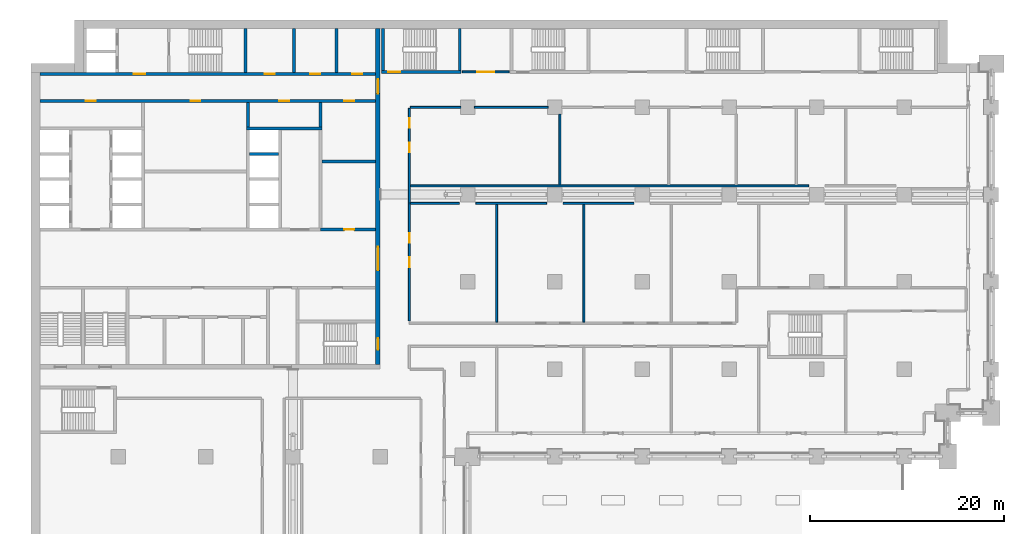
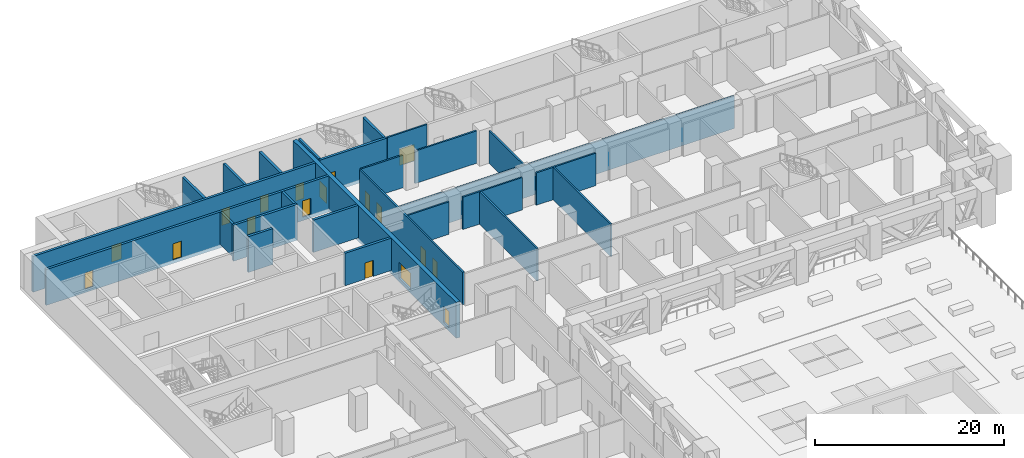
# One storey, part 16 of 31: 26 walls, 18 doors, 18 openings.
"""IFC4 building model written with IfcOpenShell, lengths in metres."""

from ifc_helpers import new_model, si_unit, direction, frame, frame_2d, origin, place, context, subcontext, project, spatial, rectangle, extrude, material, layer, layer_set, type_object, element, fill, save


model = new_model("IFC4")

# Units and contexts
model_context = context("Model", 3, precision=1e-05, world=origin(), true_north=direction((0.0, 1.0)))
body_context = subcontext(model_context, "Body", "Model", "MODEL_VIEW")
ifc_project = project(units=[si_unit("LENGTHUNIT", "METRE"), si_unit("AREAUNIT", "SQUARE_METRE"), si_unit("VOLUMEUNIT", "CUBIC_METRE"), si_unit("PLANEANGLEUNIT", "RADIAN"), si_unit("MASSUNIT", "GRAM", prefix="KILO")], contexts=[model_context])

# Site, building, storey
site_placement = place(None, origin())
site = spatial("IfcSite", under=ifc_project, at=site_placement, CompositionType="ELEMENT")
building_placement = place(site_placement, origin())
building = spatial("IfcBuilding", under=site, at=building_placement, Name="Hunhe Ridgeline Campus", CompositionType="ELEMENT")
storey_placement = place(building_placement, frame((0.0, 0.0, 31.199951171875)))
storey = spatial("IfcBuildingStorey", under=building, at=storey_placement, Name="L06", CompositionType="ELEMENT", Elevation=31.199951171875)

# Walls
ifc_material_1 = material(Name="Masonry concrete blockwork", Category="masonry")
ifc_layer_1 = layer(ifc_material_1, 0.300048828125)
ifc_layer_set_1 = layer_set([ifc_layer_1], Name="Core room partition 300 concrete block")
wall_type_1 = type_object("IfcWallType", Name="Core room partition 300 concrete block", PredefinedType="PARTITIONING", material=ifc_layer_set_1)
wall_1_placement = place(storey_placement, frame((30.0, 84.39990234375, 0.0), z_axis=(0.0, 0.0, 1.0), x_axis=(1.0, 0.0, 0.0)))
element("IfcWall", 1, at=wall_1_placement, inside=storey, type_object=wall_type_1, Name="L06 core partition 24", PredefinedType="PARTITIONING", context=body_context, shape_type="SweptSolid", body=[
    extrude(rectangle(XDim=5.5, YDim=0.300048828125, at=frame_2d((2.75, 0.0))), origin(), (0.0, 0.0, 1.0), 4.199951171875),
])
wall_2_placement = place(storey_placement, frame((22.35009765625, 87.949951171875, 0.0), z_axis=(0.0, 0.0, 1.0), x_axis=(0.0, 1.0, 0.0)))
element("IfcWall", 2, at=wall_2_placement, inside=storey, type_object=wall_type_1, Name="L06 core partition 54", PredefinedType="PARTITIONING", context=body_context, shape_type="SweptSolid", body=[
    extrude(rectangle(XDim=2.550048828125, YDim=0.300048828125, at=frame_2d((1.27490234375, 0.0))), origin(), (0.0, 0.0, 1.0), 4.199951171875),
])
wall_3_placement = place(storey_placement, frame((27.10009765625, 93.60009765625, 0.0), z_axis=(0.0, 0.0, 1.0), x_axis=(0.0, 1.0, 0.0)))
element("IfcWall", 3, at=wall_3_placement, inside=storey, type_object=wall_type_1, Name="L06 core partition 58", PredefinedType="PARTITIONING", context=body_context, shape_type="SweptSolid", body=[
    extrude(rectangle(XDim=4.5, YDim=0.300048828125, at=frame_2d((2.25, 0.0))), origin(), (0.0, 0.0, 1.0), 4.199951171875),
])
wall_4_placement = place(storey_placement, frame((29.85009765625, 87.949951171875, 0.0), z_axis=(0.0, 0.0, 1.0), x_axis=(0.0, 1.0, 0.0)))
element("IfcWall", 4, at=wall_4_placement, inside=storey, type_object=wall_type_1, Name="L06 core partition 62", PredefinedType="PARTITIONING", context=body_context, shape_type="SweptSolid", body=[
    extrude(rectangle(XDim=2.550048828125, YDim=0.300048828125, at=frame_2d((1.27490234375, 0.0))), origin(), (0.0, 0.0, 1.0), 4.199951171875),
])
wall_5_placement = place(storey_placement, frame((31.5, 93.60009765625, 0.0), z_axis=(0.0, 0.0, 1.0), x_axis=(0.0, 1.0, 0.0)))
element("IfcWall", 5, at=wall_5_placement, inside=storey, type_object=wall_type_1, Name="L06 core partition 63", PredefinedType="PARTITIONING", context=body_context, shape_type="SweptSolid", body=[
    extrude(rectangle(XDim=4.5, YDim=0.300048828125, at=frame_2d((2.25, 0.0))), origin(), (0.0, 0.0, 1.0), 4.199951171875),
])

# Wall, openings, doors
ifc_material_2 = material(Name="Concrete C80", Category="concrete")
ifc_layer_2 = layer(ifc_material_2, 0.5)
ifc_layer_set_2 = layer_set([ifc_layer_2], Name="Core wall 500 reinforced concrete C80")
wall_type_2 = type_object("IfcWallType", Name="Core wall 500 reinforced concrete C80", PredefinedType="SOLIDWALL", material=ifc_layer_set_2)
wall_6_placement = place(storey_placement, frame((35.75, 63.5, -0.449951171875), z_axis=(0.0, 0.0, 1.0), x_axis=(0.0, 1.0, 0.0)))
wall_6 = element("IfcWall", 6, at=wall_6_placement, inside=storey, type_object=wall_type_2, Name="L06 core wall 64", PredefinedType="SOLIDWALL", context=body_context, shape_type="SweptSolid", body=[
    extrude(rectangle(XDim=34.60009765625, YDim=0.5, at=frame_2d((17.300048828125, 0.0))), origin(), (0.0, 0.0, 1.0), 4.64990234375),
])
opening_1_placement = place(wall_6_placement, frame((9.699951171875, 0.0, 0.449951171875)))
opening_1 = element("IfcOpeningElement", 7, at=opening_1_placement, cuts=wall_6, Name="Opening CD4", PredefinedType="OPENING", context=body_context, shape_type="SweptSolid", body=[
    extrude(rectangle(XDim=2.39990234375, YDim=2.10009765625, at=frame_2d((1.199951171875, 1.050048828125))), frame((0.0, 0.25, 0.0), z_axis=(0.0, -1.0, 0.0), x_axis=(1.0, 0.0, 0.0)), (0.0, 0.0, 1.0), 0.5),
])
opening_2_placement = place(wall_6_placement, frame((27.89990234375, 0.0, 0.449951171875)))
opening_2 = element("IfcOpeningElement", 8, at=opening_2_placement, cuts=wall_6, Name="Opening CD5", PredefinedType="OPENING", context=body_context, shape_type="SweptSolid", body=[
    extrude(rectangle(XDim=1.5, YDim=2.10009765625, at=frame_2d((0.75, 1.050048828125))), frame((0.0, 0.25, 0.0), z_axis=(0.0, -1.0, 0.0), x_axis=(1.0, 0.0, 0.0)), (0.0, 0.0, 1.0), 0.5),
])
opening_3_placement = place(wall_6_placement, frame((1.5, 0.0, 0.449951171875)))
opening_3 = element("IfcOpeningElement", 9, at=opening_3_placement, cuts=wall_6, Name="Opening CD15", PredefinedType="OPENING", context=body_context, shape_type="SweptSolid", body=[
    extrude(rectangle(XDim=1.199951171875, YDim=2.10009765625, at=frame_2d((0.60009765625, 1.050048828125))), frame((0.0, 0.25, 0.0), z_axis=(0.0, -1.0, 0.0), x_axis=(1.0, 0.0, 0.0)), (0.0, 0.0, 1.0), 0.5),
])
ifc_material_3 = material(Name="Anodised aluminium and glass", Category="aluminium")
door_type_1 = type_object("IfcDoorType", Name="Glazed double door 2400x2100", OperationType="DOUBLE_DOOR_SINGLE_SWING", PredefinedType="DOOR", material=ifc_material_3)
door_1_placement = place(opening_1_placement, frame((2.39990234375, 0.0, 0.0), z_axis=(0.0, 0.0, 1.0), x_axis=(-1.0, 0.0, 0.0)))
door_1 = element("IfcDoor", 10, at=door_1_placement, inside=storey, type_object=door_type_1, Name="L06 door HALL-FLOOR", OperationType="DOUBLE_DOOR_SINGLE_SWING", OverallHeight=2.10009765625, OverallWidth=2.39990234375, PredefinedType="DOOR", context=body_context, shape_type="SweptSolid", body=[
    extrude(rectangle(XDim=2.39990234375, YDim=2.10009765625, at=frame_2d((1.199951171875, 1.050048828125))), frame((0.0, 0.02490234375, 0.0), z_axis=(0.0, -1.0, 0.0), x_axis=(1.0, 0.0, 0.0)), (0.0, 0.0, 1.0), 0.050048828125),
])
fill(opening_1, door_1)
ifc_material_4 = material(Name="Hollow metal fire door leaf")
door_type_2 = type_object("IfcDoorType", Name="Stair door 1200x2100 FD60", OperationType="SINGLE_SWING_LEFT", PredefinedType="DOOR", material=ifc_material_4)
door_2_placement = place(opening_3_placement, frame((1.199951171875, 0.0, 0.0), z_axis=(0.0, 0.0, 1.0), x_axis=(-1.0, 0.0, 0.0)))
door_2 = element("IfcDoor", 11, at=door_2_placement, inside=storey, type_object=door_type_2, Name="L06 door S2-FLOOR", OperationType="SINGLE_SWING_RIGHT", OverallHeight=2.10009765625, OverallWidth=1.199951171875, PredefinedType="DOOR", context=body_context, shape_type="SweptSolid", body=[
    extrude(rectangle(XDim=1.199951171875, YDim=2.10009765625, at=frame_2d((0.60009765625, 1.050048828125))), frame((0.0, 0.02490234375, 0.0), z_axis=(0.0, -1.0, 0.0), x_axis=(1.0, 0.0, 0.0)), (0.0, 0.0, 1.0), 0.050048828125),
])
fill(opening_3, door_2)
ifc_material_5 = material(Name="Solid core timber door leaf", Category="wood")
door_type_3 = type_object("IfcDoorType", Name="Timber door 1500x2100", OperationType="SINGLE_SWING_LEFT", PredefinedType="DOOR", material=ifc_material_5)
door_3_placement = place(opening_2_placement, frame((1.5, 0.0, 0.0), z_axis=(0.0, 0.0, 1.0), x_axis=(-1.0, 0.0, 0.0)))
door_3 = element("IfcDoor", 12, at=door_3_placement, inside=storey, type_object=door_type_3, Name="L06 door C1-FLOOR", OperationType="SINGLE_SWING_RIGHT", OverallHeight=2.10009765625, OverallWidth=1.5, PredefinedType="DOOR", context=body_context, shape_type="SweptSolid", body=[
    extrude(rectangle(XDim=1.5, YDim=2.10009765625, at=frame_2d((0.75, 1.050048828125))), frame((0.0, 0.02490234375, 0.0), z_axis=(0.0, -1.0, 0.0), x_axis=(1.0, 0.0, 0.0)), (0.0, 0.0, 1.0), 0.050048828125),
])
fill(opening_2, door_3)

# Walls
ifc_material_6 = material(Name="Gypsum board partition")
ifc_layer_3 = layer(ifc_material_6, 0.199951171875)
ifc_layer_set_3 = layer_set([ifc_layer_3], Name="Corridor partition 200 gypsum board on steel studs")
wall_type_3 = type_object("IfcWallType", Name="Corridor partition 200 gypsum board on steel studs", PredefinedType="PARTITIONING", material=ifc_layer_set_3)
wall_7_placement = place(storey_placement, frame((39.10009765625, 80.10009765625, 0.0), z_axis=(0.0, 0.0, 1.0), x_axis=(1.0, 0.0, 0.0)))
element("IfcWall", 13, at=wall_7_placement, inside=storey, type_object=wall_type_3, Name="F-L06-wall-034", PredefinedType="PARTITIONING", context=body_context, shape_type="SweptSolid", body=[
    extrude(rectangle(XDim=5.0498046875, YDim=0.199951171875, at=frame_2d((2.52490234375, 0.0))), origin(), (0.0, 0.0, 1.0), 4.199951171875),
])
for number, where, z_axis, x_axis, name in (
    (14, (45.85009765625, 80.10009765625, 0.0), (0.0, 0.0, 1.0), (1.0, 0.0, 0.0), "F-L06-wall-035"),
    (15, (54.85009765625, 80.10009765625, 0.0), (0.0, 0.0, 1.0), (1.0, 0.0, 0.0), "F-L06-wall-036"),
):
    element("IfcWall", number, at=place(storey_placement, frame(where, z_axis=z_axis, x_axis=x_axis)), inside=storey, type_object=wall_type_3, Name=name, PredefinedType="PARTITIONING", context=body_context, shape_type="SweptSolid", body=[
        extrude(rectangle(XDim=7.2998046875, YDim=0.199951171875, at=frame_2d((3.64990234375, 0.0))), origin(), (0.0, 0.0, 1.0), 4.199951171875),
    ])
wall_8_placement = place(storey_placement, frame((39.10009765625, 81.89990234375, 0.0), z_axis=(0.0, 0.0, 1.0), x_axis=(1.0, 0.0, 0.0)))
element("IfcWall", 16, at=wall_8_placement, inside=storey, type_object=wall_type_3, Name="F-L06-wall-042", PredefinedType="PARTITIONING", context=body_context, shape_type="SweptSolid", body=[
    extrude(rectangle(XDim=41.0498046875, YDim=0.199951171875, at=frame_2d((20.52490234375, 0.0))), origin(), (0.0, 0.0, 1.0), 4.199951171875),
])
wall_9_placement = place(storey_placement, frame((44.300048828125, 90.0, 0.0), z_axis=(0.0, 0.0, 1.0), x_axis=(-1.0, 0.0, 0.0)))
element("IfcWall", 17, at=wall_9_placement, inside=storey, type_object=wall_type_3, Name="F-L06-wall-045", PredefinedType="PARTITIONING", context=body_context, shape_type="SweptSolid", body=[
    extrude(rectangle(XDim=5.199951171875, YDim=0.199951171875, at=frame_2d((2.60009765625, 0.0))), origin(), (0.0, 0.0, 1.0), 4.199951171875),
])
wall_10_placement = place(storey_placement, frame((53.300048828125, 90.0, 0.0), z_axis=(0.0, 0.0, 1.0), x_axis=(-1.0, 0.0, 0.0)))
element("IfcWall", 18, at=wall_10_placement, inside=storey, type_object=wall_type_3, Name="F-L06-wall-046", PredefinedType="PARTITIONING", context=body_context, shape_type="SweptSolid", body=[
    extrude(rectangle(XDim=7.60009765625, YDim=0.199951171875, at=frame_2d((3.800048828125, 0.0))), origin(), (0.0, 0.0, 1.0), 4.199951171875),
])

# Wall, opening, door
wall_11_placement = place(storey_placement, frame((44.4541015625, 93.64990234375, 0.0), z_axis=(0.0, 0.0, 1.0), x_axis=(1.0, 0.0, 0.0)))
wall_11 = element("IfcWall", 19, at=wall_11_placement, inside=storey, type_object=wall_type_3, Name="F-L06-wall-051", PredefinedType="PARTITIONING", context=body_context, shape_type="SweptSolid", body=[
    extrude(rectangle(XDim=4.841796875, YDim=0.199951171875, at=frame_2d((2.4208984375, 0.0))), origin(), (0.0, 0.0, 1.0), 4.199951171875),
])
opening_4_placement = place(wall_11_placement, frame((1.52099609375, 0.0, 0.0)))
opening_4 = element("IfcOpeningElement", 20, at=opening_4_placement, cuts=wall_11, Name="Opening RD2-045", PredefinedType="OPENING", context=body_context, shape_type="SweptSolid", body=[
    extrude(rectangle(XDim=1.800048828125, YDim=2.10009765625, at=frame_2d((0.89990234375, 1.050048828125))), frame((0.0, 0.10009765625, 0.0), z_axis=(0.0, -1.0, 0.0), x_axis=(1.0, 0.0, 0.0)), (0.0, 0.0, 1.0), 0.199951171875),
])
ifc_material_7 = material(Name="Timber door leaf", Category="wood")
door_type_4 = type_object("IfcDoorType", Name="Double fire door 1800x2100 timber FD60", OperationType="DOUBLE_DOOR_SINGLE_SWING", PredefinedType="DOOR", material=ifc_material_7)
door_4_placement = place(opening_4_placement, origin())
door_4 = element("IfcDoor", 21, at=door_4_placement, inside=storey, type_object=door_type_4, Name="F-L06-door-045", OperationType="DOUBLE_DOOR_SINGLE_SWING", OverallHeight=2.10009765625, OverallWidth=1.800048828125, PredefinedType="DOOR", context=body_context, shape_type="SweptSolid", body=[
    extrude(rectangle(XDim=1.800048828125, YDim=2.10009765625, at=frame_2d((0.89990234375, 1.050048828125))), frame((0.0, 0.02490234375, 0.0), z_axis=(0.0, -1.0, 0.0), x_axis=(1.0, 0.0, 0.0)), (0.0, 0.0, 1.0), 0.050048828125),
])
fill(opening_4, door_4)

# Wall, openings, doors
wall_12_placement = place(storey_placement, frame((39.0, 89.89990234375, 0.0), z_axis=(0.0, 0.0, 1.0), x_axis=(0.0, -1.0, 0.0)))
wall_12 = element("IfcWall", 22, at=wall_12_placement, inside=storey, type_object=wall_type_3, Name="F-L06-wall-070", PredefinedType="PARTITIONING", context=body_context, shape_type="SweptSolid", body=[
    extrude(rectangle(XDim=21.9169921875, YDim=0.199951171875, at=frame_2d((10.95849609375, 0.0))), origin(), (0.0, 0.0, 1.0), 4.199951171875),
])
opening_5_placement = place(wall_12_placement, frame((15.37109375, 0.0, 0.0)))
opening_5 = element("IfcOpeningElement", 23, at=opening_5_placement, cuts=wall_12, Name="Opening RD1-038", PredefinedType="OPENING", context=body_context, shape_type="SweptSolid", body=[
    extrude(rectangle(XDim=1.0, YDim=2.10009765625, at=frame_2d((0.5, 1.050048828125))), frame((0.0, 0.10009765625, 0.0), z_axis=(0.0, -1.0, 0.0), x_axis=(1.0, 0.0, 0.0)), (0.0, 0.0, 1.0), 0.199951171875),
])
opening_6_placement = place(wall_12_placement, frame((12.87109375, 0.0, 0.0)))
opening_6 = element("IfcOpeningElement", 24, at=opening_6_placement, cuts=wall_12, Name="Opening RD1-039", PredefinedType="OPENING", context=body_context, shape_type="SweptSolid", body=[
    extrude(rectangle(XDim=1.0, YDim=2.10009765625, at=frame_2d((0.5, 1.050048828125))), frame((0.0, 0.10009765625, 0.0), z_axis=(0.0, -1.0, 0.0), x_axis=(1.0, 0.0, 0.0)), (0.0, 0.0, 1.0), 0.199951171875),
])
opening_7_placement = place(wall_12_placement, frame((3.53076171875, 0.0, 0.0)))
opening_7 = element("IfcOpeningElement", 25, at=opening_7_placement, cuts=wall_12, Name="Opening RD1-040", PredefinedType="OPENING", context=body_context, shape_type="SweptSolid", body=[
    extrude(rectangle(XDim=1.0, YDim=2.10009765625, at=frame_2d((0.5, 1.050048828125))), frame((0.0, 0.10009765625, 0.0), z_axis=(0.0, -1.0, 0.0), x_axis=(1.0, 0.0, 0.0)), (0.0, 0.0, 1.0), 0.199951171875),
])
opening_8_placement = place(wall_12_placement, frame((1.03076171875, 0.0, 0.0)))
opening_8 = element("IfcOpeningElement", 26, at=opening_8_placement, cuts=wall_12, Name="Opening RD1-041", PredefinedType="OPENING", context=body_context, shape_type="SweptSolid", body=[
    extrude(rectangle(XDim=1.0, YDim=2.10009765625, at=frame_2d((0.5, 1.050048828125))), frame((0.0, 0.10009765625, 0.0), z_axis=(0.0, -1.0, 0.0), x_axis=(1.0, 0.0, 0.0)), (0.0, 0.0, 1.0), 0.199951171875),
])
door_type_5 = type_object("IfcDoorType", Name="Single fire door 1000x2100 timber FD60", OperationType="NOTDEFINED", PredefinedType="DOOR", material=ifc_material_7)
door_5_placement = place(opening_5_placement, frame((1.0, 0.0, 0.0), z_axis=(0.0, 0.0, 1.0), x_axis=(-1.0, 0.0, 0.0)))
door_5 = element("IfcDoor", 27, at=door_5_placement, inside=storey, type_object=door_type_5, Name="F-L06-door-038", OperationType="SINGLE_SWING_RIGHT", OverallHeight=2.10009765625, OverallWidth=1.0, PredefinedType="DOOR", context=body_context, shape_type="SweptSolid", body=[
    extrude(rectangle(XDim=1.0, YDim=2.10009765625, at=frame_2d((0.5, 1.050048828125))), frame((0.0, 0.02490234375, 0.0), z_axis=(0.0, -1.0, 0.0), x_axis=(1.0, 0.0, 0.0)), (0.0, 0.0, 1.0), 0.050048828125),
])
fill(opening_5, door_5)
door_6_placement = place(opening_6_placement, frame((1.0, 0.0, 0.0), z_axis=(0.0, 0.0, 1.0), x_axis=(-1.0, 0.0, 0.0)))
door_6 = element("IfcDoor", 28, at=door_6_placement, inside=storey, type_object=door_type_5, Name="F-L06-door-039", OperationType="SINGLE_SWING_RIGHT", OverallHeight=2.10009765625, OverallWidth=1.0, PredefinedType="DOOR", context=body_context, shape_type="SweptSolid", body=[
    extrude(rectangle(XDim=1.0, YDim=2.10009765625, at=frame_2d((0.5, 1.050048828125))), frame((0.0, 0.02490234375, 0.0), z_axis=(0.0, -1.0, 0.0), x_axis=(1.0, 0.0, 0.0)), (0.0, 0.0, 1.0), 0.050048828125),
])
fill(opening_6, door_6)
door_7_placement = place(opening_7_placement, frame((1.0, 0.0, 0.0), z_axis=(0.0, 0.0, 1.0), x_axis=(-1.0, 0.0, 0.0)))
door_7 = element("IfcDoor", 29, at=door_7_placement, inside=storey, type_object=door_type_5, Name="F-L06-door-040", OperationType="SINGLE_SWING_LEFT", OverallHeight=2.10009765625, OverallWidth=1.0, PredefinedType="DOOR", context=body_context, shape_type="SweptSolid", body=[
    extrude(rectangle(XDim=1.0, YDim=2.10009765625, at=frame_2d((0.5, 1.050048828125))), frame((0.0, 0.02490234375, 0.0), z_axis=(0.0, -1.0, 0.0), x_axis=(1.0, 0.0, 0.0)), (0.0, 0.0, 1.0), 0.050048828125),
])
fill(opening_7, door_7)
door_8_placement = place(opening_8_placement, frame((1.0, 0.0, 0.0), z_axis=(0.0, 0.0, 1.0), x_axis=(-1.0, 0.0, 0.0)))
door_8 = element("IfcDoor", 30, at=door_8_placement, inside=storey, type_object=door_type_5, Name="F-L06-door-041", OperationType="SINGLE_SWING_RIGHT", OverallHeight=2.10009765625, OverallWidth=1.0, PredefinedType="DOOR", context=body_context, shape_type="SweptSolid", body=[
    extrude(rectangle(XDim=1.0, YDim=2.10009765625, at=frame_2d((0.5, 1.050048828125))), frame((0.0, 0.02490234375, 0.0), z_axis=(0.0, -1.0, 0.0), x_axis=(1.0, 0.0, 0.0)), (0.0, 0.0, 1.0), 0.050048828125),
])
fill(opening_8, door_8)

# Walls
wall_13_placement = place(storey_placement, frame((48.0, 80.0, 0.0), z_axis=(0.0, 0.0, 1.0), x_axis=(0.0, -1.0, 0.0)))
element("IfcWall", 31, at=wall_13_placement, inside=storey, type_object=wall_type_3, Name="F-L06-wall-074", PredefinedType="PARTITIONING", context=body_context, shape_type="SweptSolid", body=[
    extrude(rectangle(XDim=12.14990234375, YDim=0.199951171875, at=frame_2d((6.074951171875, 0.0))), origin(), (0.0, 0.0, 1.0), 4.199951171875),
])
wall_14_placement = place(storey_placement, frame((54.508056640625, 89.300048828125, 0.0), z_axis=(0.0, 0.0, 1.0), x_axis=(0.0, -1.0, 0.0)))
element("IfcWall", 32, at=wall_14_placement, inside=storey, type_object=wall_type_3, Name="F-L06-wall-075", PredefinedType="PARTITIONING", context=body_context, shape_type="SweptSolid", body=[
    extrude(rectangle(XDim=7.300048828125, YDim=0.199951171875, at=frame_2d((3.64990234375, 0.0))), origin(), (0.0, 0.0, 1.0), 4.199951171875),
])
wall_15_placement = place(storey_placement, frame((57.0, 80.0, 0.0), z_axis=(0.0, 0.0, 1.0), x_axis=(0.0, -1.0, 0.0)))
element("IfcWall", 33, at=wall_15_placement, inside=storey, type_object=wall_type_3, Name="F-L06-wall-077", PredefinedType="PARTITIONING", context=body_context, shape_type="SweptSolid", body=[
    extrude(rectangle(XDim=12.14990234375, YDim=0.199951171875, at=frame_2d((6.074951171875, 0.0))), origin(), (0.0, 0.0, 1.0), 4.199951171875),
])

# Wall, opening, door
ifc_layer_4 = layer(ifc_material_2, 0.300048828125)
ifc_layer_set_4 = layer_set([ifc_layer_4], Name="Lobby wall 300 reinforced concrete C80")
wall_type_4 = type_object("IfcWallType", Name="Lobby wall 300 reinforced concrete C80", PredefinedType="SOLIDWALL", material=ifc_layer_set_4)
wall_16_placement = place(storey_placement, frame((29.85009765625, 77.39990234375, 0.0), z_axis=(0.0, 0.0, 1.0), x_axis=(1.0, 0.0, 0.0)))
wall_16 = element("IfcWall", 34, at=wall_16_placement, inside=storey, type_object=wall_type_4, Name="L06 core wall 16", PredefinedType="SOLIDWALL", context=body_context, shape_type="SweptSolid", body=[
    extrude(rectangle(XDim=5.64990234375, YDim=0.300048828125, at=frame_2d((2.824951171875, 0.0))), origin(), (0.0, 0.0, 1.0), 4.199951171875),
])
opening_9_placement = place(wall_16_placement, frame((2.449951171875, 0.0, 0.0)))
opening_9 = element("IfcOpeningElement", 35, at=opening_9_placement, cuts=wall_16, Name="Opening CD32", PredefinedType="OPENING", context=body_context, shape_type="SweptSolid", body=[
    extrude(rectangle(XDim=1.0, YDim=2.10009765625, at=frame_2d((0.5, 1.050048828125))), frame((0.0, 0.14990234375, 0.0), z_axis=(0.0, -1.0, 0.0), x_axis=(1.0, 0.0, 0.0)), (0.0, 0.0, 1.0), 0.300048828125),
])
door_type_6 = type_object("IfcDoorType", Name="Timber door 1000x2100", OperationType="SINGLE_SWING_LEFT", PredefinedType="DOOR", material=ifc_material_5)
door_9_placement = place(opening_9_placement, origin())
door_9 = element("IfcDoor", 36, at=door_9_placement, inside=storey, type_object=door_type_6, Name="L06 door ES0", OperationType="SINGLE_SWING_LEFT", OverallHeight=2.10009765625, OverallWidth=1.0, PredefinedType="DOOR", context=body_context, shape_type="SweptSolid", body=[
    extrude(rectangle(XDim=1.0, YDim=2.10009765625, at=frame_2d((0.5, 1.050048828125))), frame((0.0, 0.02490234375, 0.0), z_axis=(0.0, -1.0, 0.0), x_axis=(1.0, 0.0, 0.0)), (0.0, 0.0, 1.0), 0.050048828125),
])
fill(opening_9, door_9)

# Wall, openings, doors
wall_17_placement = place(storey_placement, frame((0.89990234375, 90.64990234375, -0.449951171875), z_axis=(0.0, 0.0, 1.0), x_axis=(1.0, 0.0, 0.0)))
wall_17 = element("IfcWall", 37, at=wall_17_placement, inside=storey, type_object=wall_type_4, Name="L06 core wall 30", PredefinedType="SOLIDWALL", context=body_context, shape_type="SweptSolid", body=[
    extrude(rectangle(XDim=34.60009765625, YDim=0.300048828125, at=frame_2d((17.300048828125, 0.0))), origin(), (0.0, 0.0, 1.0), 4.64990234375),
])
opening_10_placement = place(wall_17_placement, frame((4.75, 0.0, 0.449951171875)))
opening_10 = element("IfcOpeningElement", 38, at=opening_10_placement, cuts=wall_17, Name="Opening CD26", PredefinedType="OPENING", context=body_context, shape_type="SweptSolid", body=[
    extrude(rectangle(XDim=1.0, YDim=2.10009765625, at=frame_2d((0.5, 1.050048828125))), frame((0.0, 0.14990234375, 0.0), z_axis=(0.0, -1.0, 0.0), x_axis=(1.0, 0.0, 0.0)), (0.0, 0.0, 1.0), 0.300048828125),
])
opening_11_placement = place(wall_17_placement, frame((24.699951171875, 0.0, 0.449951171875)))
opening_11 = element("IfcOpeningElement", 39, at=opening_11_placement, cuts=wall_17, Name="Opening CD27", PredefinedType="OPENING", context=body_context, shape_type="SweptSolid", body=[
    extrude(rectangle(XDim=1.0, YDim=2.10009765625, at=frame_2d((0.5, 1.050048828125))), frame((0.0, 0.14990234375, 0.0), z_axis=(0.0, -1.0, 0.0), x_axis=(1.0, 0.0, 0.0)), (0.0, 0.0, 1.0), 0.300048828125),
])
opening_12_placement = place(wall_17_placement, frame((15.550048828125, 0.0, 0.449951171875)))
opening_12 = element("IfcOpeningElement", 40, at=opening_12_placement, cuts=wall_17, Name="Opening CD29", PredefinedType="OPENING", context=body_context, shape_type="SweptSolid", body=[
    extrude(rectangle(XDim=1.0, YDim=2.10009765625, at=frame_2d((0.5, 1.050048828125))), frame((0.0, 0.14990234375, 0.0), z_axis=(0.0, -1.0, 0.0), x_axis=(1.0, 0.0, 0.0)), (0.0, 0.0, 1.0), 0.300048828125),
])
opening_13_placement = place(wall_17_placement, frame((31.39990234375, 0.0, 0.449951171875)))
opening_13 = element("IfcOpeningElement", 41, at=opening_13_placement, cuts=wall_17, Name="Opening CD33", PredefinedType="OPENING", context=body_context, shape_type="SweptSolid", body=[
    extrude(rectangle(XDim=1.0, YDim=2.10009765625, at=frame_2d((0.5, 1.050048828125))), frame((0.0, 0.14990234375, 0.0), z_axis=(0.0, -1.0, 0.0), x_axis=(1.0, 0.0, 0.0)), (0.0, 0.0, 1.0), 0.300048828125),
])
door_10_placement = place(opening_10_placement, frame((1.0, 0.0, 0.0), z_axis=(0.0, 0.0, 1.0), x_axis=(-1.0, 0.0, 0.0)))
door_10 = element("IfcDoor", 42, at=door_10_placement, inside=storey, type_object=door_type_6, Name="L06 door NR-0", OperationType="SINGLE_SWING_LEFT", OverallHeight=2.10009765625, OverallWidth=1.0, PredefinedType="DOOR", context=body_context, shape_type="SweptSolid", body=[
    extrude(rectangle(XDim=1.0, YDim=2.10009765625, at=frame_2d((0.5, 1.050048828125))), frame((0.0, 0.02490234375, 0.0), z_axis=(0.0, -1.0, 0.0), x_axis=(1.0, 0.0, 0.0)), (0.0, 0.0, 1.0), 0.050048828125),
])
fill(opening_10, door_10)
door_11_placement = place(opening_11_placement, frame((1.0, 0.0, 0.0), z_axis=(0.0, 0.0, 1.0), x_axis=(-1.0, 0.0, 0.0)))
door_11 = element("IfcDoor", 43, at=door_11_placement, inside=storey, type_object=door_type_6, Name="L06 door NR-1", OperationType="SINGLE_SWING_RIGHT", OverallHeight=2.10009765625, OverallWidth=1.0, PredefinedType="DOOR", context=body_context, shape_type="SweptSolid", body=[
    extrude(rectangle(XDim=1.0, YDim=2.10009765625, at=frame_2d((0.5, 1.050048828125))), frame((0.0, 0.02490234375, 0.0), z_axis=(0.0, -1.0, 0.0), x_axis=(1.0, 0.0, 0.0)), (0.0, 0.0, 1.0), 0.050048828125),
])
fill(opening_11, door_11)
door_12_placement = place(opening_12_placement, frame((1.0, 0.0, 0.0), z_axis=(0.0, 0.0, 1.0), x_axis=(-1.0, 0.0, 0.0)))
door_12 = element("IfcDoor", 44, at=door_12_placement, inside=storey, type_object=door_type_6, Name="L06 door VD-HR1", OperationType="SINGLE_SWING_RIGHT", OverallHeight=2.10009765625, OverallWidth=1.0, PredefinedType="DOOR", context=body_context, shape_type="SweptSolid", body=[
    extrude(rectangle(XDim=1.0, YDim=2.10009765625, at=frame_2d((0.5, 1.050048828125))), frame((0.0, 0.02490234375, 0.0), z_axis=(0.0, -1.0, 0.0), x_axis=(1.0, 0.0, 0.0)), (0.0, 0.0, 1.0), 0.050048828125),
])
fill(opening_12, door_12)
door_13_placement = place(opening_13_placement, frame((1.0, 0.0, 0.0), z_axis=(0.0, 0.0, 1.0), x_axis=(-1.0, 0.0, 0.0)))
door_13 = element("IfcDoor", 45, at=door_13_placement, inside=storey, type_object=door_type_6, Name="L06 door ES1", OperationType="SINGLE_SWING_LEFT", OverallHeight=2.10009765625, OverallWidth=1.0, PredefinedType="DOOR", context=body_context, shape_type="SweptSolid", body=[
    extrude(rectangle(XDim=1.0, YDim=2.10009765625, at=frame_2d((0.5, 1.050048828125))), frame((0.0, 0.02490234375, 0.0), z_axis=(0.0, -1.0, 0.0), x_axis=(1.0, 0.0, 0.0)), (0.0, 0.0, 1.0), 0.050048828125),
])
fill(opening_13, door_13)

# Walls
ifc_layer_5 = layer(ifc_material_2, 0.300048828125)
ifc_layer_set_5 = layer_set([ifc_layer_5], Name="Shaft wall 300 reinforced concrete C80")
wall_type_5 = type_object("IfcWallType", Name="Shaft wall 300 reinforced concrete C80", PredefinedType="SOLIDWALL", material=ifc_layer_set_5)
wall_18_placement = place(storey_placement, frame((22.5, 85.199951171875, -0.449951171875), z_axis=(0.0, 0.0, 1.0), x_axis=(1.0, 0.0, 0.0)))
element("IfcWall", 46, at=wall_18_placement, inside=storey, type_object=wall_type_5, Name="L06 core wall 27", PredefinedType="SOLIDWALL", context=body_context, shape_type="SweptSolid", body=[
    extrude(rectangle(XDim=3.0, YDim=0.300048828125, at=frame_2d((1.5, 0.0))), origin(), (0.0, 0.0, 1.0), 4.64990234375),
])
wall_19_placement = place(storey_placement, frame((22.199951171875, 87.800048828125, -0.449951171875), z_axis=(0.0, 0.0, 1.0), x_axis=(1.0, 0.0, 0.0)))
element("IfcWall", 47, at=wall_19_placement, inside=storey, type_object=wall_type_5, Name="L06 core wall 29", PredefinedType="SOLIDWALL", context=body_context, shape_type="SweptSolid", body=[
    extrude(rectangle(XDim=7.800048828125, YDim=0.300048828125, at=frame_2d((3.89990234375, 0.0))), origin(), (0.0, 0.0, 1.0), 4.64990234375),
])

# Wall, openings, doors
wall_20_placement = place(storey_placement, frame((0.89990234375, 93.449951171875, -0.449951171875), z_axis=(0.0, 0.0, 1.0), x_axis=(1.0, 0.0, 0.0)))
wall_20 = element("IfcWall", 48, at=wall_20_placement, inside=storey, type_object=wall_type_5, Name="L06 core wall 31", PredefinedType="SOLIDWALL", context=body_context, shape_type="SweptSolid", body=[
    extrude(rectangle(XDim=34.60009765625, YDim=0.300048828125, at=frame_2d((17.300048828125, 0.0))), origin(), (0.0, 0.0, 1.0), 4.64990234375),
])
opening_14_placement = place(wall_20_placement, frame((9.699951171875, 0.0, 0.449951171875)))
opening_14 = element("IfcOpeningElement", 49, at=opening_14_placement, cuts=wall_20, Name="Opening CD3", PredefinedType="OPENING", context=body_context, shape_type="SweptSolid", body=[
    extrude(rectangle(XDim=1.199951171875, YDim=2.10009765625, at=frame_2d((0.60009765625, 1.050048828125))), frame((0.0, 0.14990234375, 0.0), z_axis=(0.0, -1.0, 0.0), x_axis=(1.0, 0.0, 0.0)), (0.0, 0.0, 1.0), 0.300048828125),
])
opening_15_placement = place(wall_20_placement, frame((23.199951171875, 0.0, 0.449951171875)))
opening_15 = element("IfcOpeningElement", 50, at=opening_15_placement, cuts=wall_20, Name="Opening CD34", PredefinedType="OPENING", context=body_context, shape_type="SweptSolid", body=[
    extrude(rectangle(XDim=1.0, YDim=2.10009765625, at=frame_2d((0.5, 1.050048828125))), frame((0.0, 0.14990234375, 0.0), z_axis=(0.0, -1.0, 0.0), x_axis=(1.0, 0.0, 0.0)), (0.0, 0.0, 1.0), 0.300048828125),
])
opening_16_placement = place(wall_20_placement, frame((27.89990234375, 0.0, 0.449951171875)))
opening_16 = element("IfcOpeningElement", 51, at=opening_16_placement, cuts=wall_20, Name="Opening CD35", PredefinedType="OPENING", context=body_context, shape_type="SweptSolid", body=[
    extrude(rectangle(XDim=1.0, YDim=2.10009765625, at=frame_2d((0.5, 1.050048828125))), frame((0.0, 0.14990234375, 0.0), z_axis=(0.0, -1.0, 0.0), x_axis=(1.0, 0.0, 0.0)), (0.0, 0.0, 1.0), 0.300048828125),
])
opening_17_placement = place(wall_20_placement, frame((32.22509765625, 0.0, 0.449951171875)))
opening_17 = element("IfcOpeningElement", 52, at=opening_17_placement, cuts=wall_20, Name="Opening CD36", PredefinedType="OPENING", context=body_context, shape_type="SweptSolid", body=[
    extrude(rectangle(XDim=1.0, YDim=2.10009765625, at=frame_2d((0.5, 1.050048828125))), frame((0.0, 0.14990234375, 0.0), z_axis=(0.0, -1.0, 0.0), x_axis=(1.0, 0.0, 0.0)), (0.0, 0.0, 1.0), 0.300048828125),
])
door_type_7 = type_object("IfcDoorType", Name="Lobby door 1200x2100 FD60", OperationType="SINGLE_SWING_LEFT", PredefinedType="DOOR", material=ifc_material_4)
door_14_placement = place(opening_14_placement, frame((1.199951171875, 0.0, 0.0), z_axis=(0.0, 0.0, 1.0), x_axis=(-1.0, 0.0, 0.0)))
door_14 = element("IfcDoor", 53, at=door_14_placement, inside=storey, type_object=door_type_7, Name="L06 door FF-C1", OperationType="SINGLE_SWING_LEFT", OverallHeight=2.10009765625, OverallWidth=1.199951171875, PredefinedType="DOOR", context=body_context, shape_type="SweptSolid", body=[
    extrude(rectangle(XDim=1.199951171875, YDim=2.10009765625, at=frame_2d((0.60009765625, 1.050048828125))), frame((0.0, 0.02490234375, 0.0), z_axis=(0.0, -1.0, 0.0), x_axis=(1.0, 0.0, 0.0)), (0.0, 0.0, 1.0), 0.050048828125),
])
fill(opening_14, door_14)
door_15_placement = place(opening_15_placement, origin())
door_15 = element("IfcDoor", 54, at=door_15_placement, inside=storey, type_object=door_type_6, Name="L06 door NB0", OperationType="SINGLE_SWING_LEFT", OverallHeight=2.10009765625, OverallWidth=1.0, PredefinedType="DOOR", context=body_context, shape_type="SweptSolid", body=[
    extrude(rectangle(XDim=1.0, YDim=2.10009765625, at=frame_2d((0.5, 1.050048828125))), frame((0.0, 0.02490234375, 0.0), z_axis=(0.0, -1.0, 0.0), x_axis=(1.0, 0.0, 0.0)), (0.0, 0.0, 1.0), 0.050048828125),
])
fill(opening_15, door_15)
door_16_placement = place(opening_16_placement, origin())
door_16 = element("IfcDoor", 55, at=door_16_placement, inside=storey, type_object=door_type_6, Name="L06 door NB1", OperationType="SINGLE_SWING_RIGHT", OverallHeight=2.10009765625, OverallWidth=1.0, PredefinedType="DOOR", context=body_context, shape_type="SweptSolid", body=[
    extrude(rectangle(XDim=1.0, YDim=2.10009765625, at=frame_2d((0.5, 1.050048828125))), frame((0.0, 0.02490234375, 0.0), z_axis=(0.0, -1.0, 0.0), x_axis=(1.0, 0.0, 0.0)), (0.0, 0.0, 1.0), 0.050048828125),
])
fill(opening_16, door_16)
door_17_placement = place(opening_17_placement, origin())
door_17 = element("IfcDoor", 56, at=door_17_placement, inside=storey, type_object=door_type_6, Name="L06 door NB2", OperationType="SINGLE_SWING_LEFT", OverallHeight=2.10009765625, OverallWidth=1.0, PredefinedType="DOOR", context=body_context, shape_type="SweptSolid", body=[
    extrude(rectangle(XDim=1.0, YDim=2.10009765625, at=frame_2d((0.5, 1.050048828125))), frame((0.0, 0.02490234375, 0.0), z_axis=(0.0, -1.0, 0.0), x_axis=(1.0, 0.0, 0.0)), (0.0, 0.0, 1.0), 0.050048828125),
])
fill(opening_17, door_17)

# Wall, opening, door
ifc_layer_6 = layer(ifc_material_2, 0.300048828125)
ifc_layer_set_6 = layer_set([ifc_layer_6], Name="Stair wall 300 reinforced concrete C80")
wall_type_6 = type_object("IfcWallType", Name="Stair wall 300 reinforced concrete C80", PredefinedType="SOLIDWALL", material=ifc_layer_set_6)
wall_21_placement = place(storey_placement, frame((36.14990234375, 93.64990234375, -0.449951171875), z_axis=(0.0, 0.0, 1.0), x_axis=(1.0, 0.0, 0.0)))
wall_21 = element("IfcWall", 57, at=wall_21_placement, inside=storey, type_object=wall_type_6, Name="L06 core wall 32", PredefinedType="SOLIDWALL", context=body_context, shape_type="SweptSolid", body=[
    extrude(rectangle(XDim=8.2001953125, YDim=0.300048828125, at=frame_2d((4.10009765625, 0.0))), origin(), (0.0, 0.0, 1.0), 4.64990234375),
])
opening_18_placement = place(wall_21_placement, frame((0.699951171875, 0.0, 0.449951171875)))
opening_18 = element("IfcOpeningElement", 58, at=opening_18_placement, cuts=wall_21, Name="Opening CD17", PredefinedType="OPENING", context=body_context, shape_type="SweptSolid", body=[
    extrude(rectangle(XDim=1.199951171875, YDim=2.10009765625, at=frame_2d((0.60009765625, 1.050048828125))), frame((0.0, 0.14990234375, 0.0), z_axis=(0.0, -1.0, 0.0), x_axis=(1.0, 0.0, 0.0)), (0.0, 0.0, 1.0), 0.300048828125),
])
door_18_placement = place(opening_18_placement, frame((1.199951171875, 0.0, 0.0), z_axis=(0.0, 0.0, 1.0), x_axis=(-1.0, 0.0, 0.0)))
door_18 = element("IfcDoor", 59, at=door_18_placement, inside=storey, type_object=door_type_2, Name="L06 door E1", OperationType="SINGLE_SWING_RIGHT", OverallHeight=2.10009765625, OverallWidth=1.199951171875, PredefinedType="DOOR", context=body_context, shape_type="SweptSolid", body=[
    extrude(rectangle(XDim=1.199951171875, YDim=2.10009765625, at=frame_2d((0.60009765625, 1.050048828125))), frame((0.0, 0.02490234375, 0.0), z_axis=(0.0, -1.0, 0.0), x_axis=(1.0, 0.0, 0.0)), (0.0, 0.0, 1.0), 0.050048828125),
])
fill(opening_18, door_18)

# Walls
wall_22_placement = place(storey_placement, frame((22.10009765625, 93.60009765625, -0.449951171875), z_axis=(0.0, 0.0, 1.0), x_axis=(0.0, 1.0, 0.0)))
element("IfcWall", 60, at=wall_22_placement, inside=storey, type_object=wall_type_6, Name="L06 core wall 52", PredefinedType="SOLIDWALL", context=body_context, shape_type="SweptSolid", body=[
    extrude(rectangle(XDim=4.5, YDim=0.300048828125, at=frame_2d((2.25, 0.0))), origin(), (0.0, 0.0, 1.0), 4.64990234375),
])
for number, where, z_axis, x_axis, name in (
    (61, (36.300048828125, 93.800048828125, -0.449951171875), (0.0, 0.0, 1.0), (0.0, 1.0, 0.0), "L06 core wall 65"),
    (62, (44.199951171875, 93.800048828125, -0.449951171875), (0.0, 0.0, 1.0), (0.0, 1.0, 0.0), "L06 core wall 66"),
):
    element("IfcWall", number, at=place(storey_placement, frame(where, z_axis=z_axis, x_axis=x_axis)), inside=storey, type_object=wall_type_6, Name=name, PredefinedType="SOLIDWALL", context=body_context, shape_type="SweptSolid", body=[
        extrude(rectangle(XDim=4.300048828125, YDim=0.300048828125, at=frame_2d((2.14990234375, 0.0))), origin(), (0.0, 0.0, 1.0), 4.64990234375),
    ])

save(model, "model.ifc")
